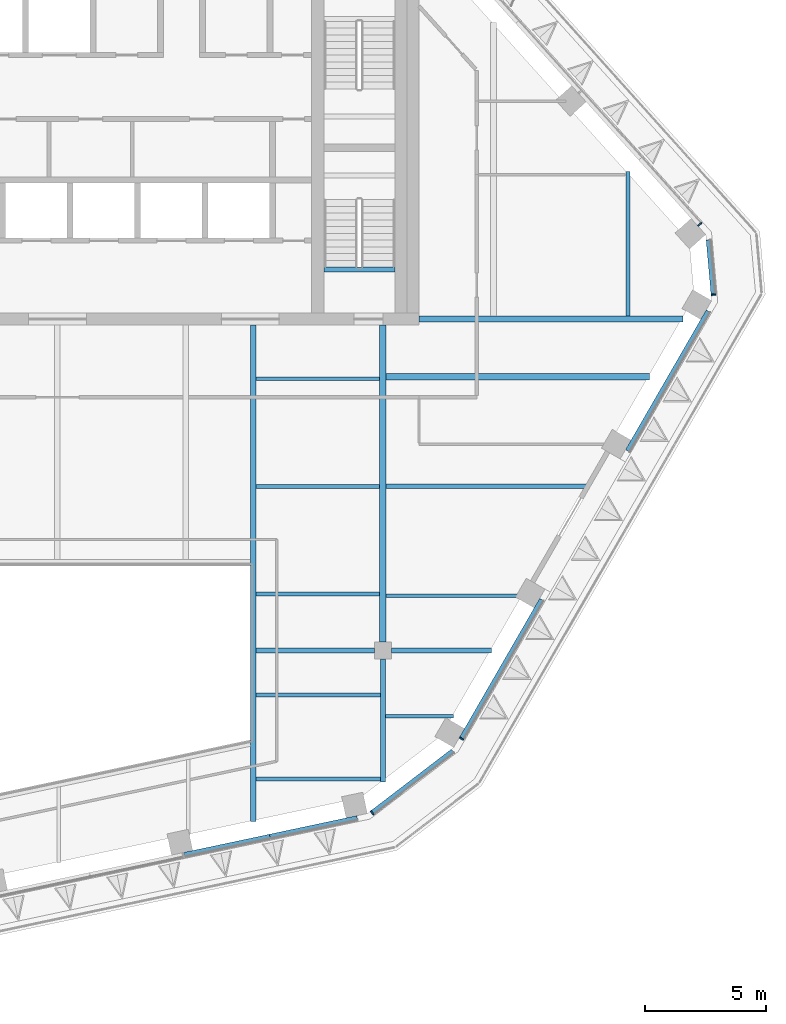
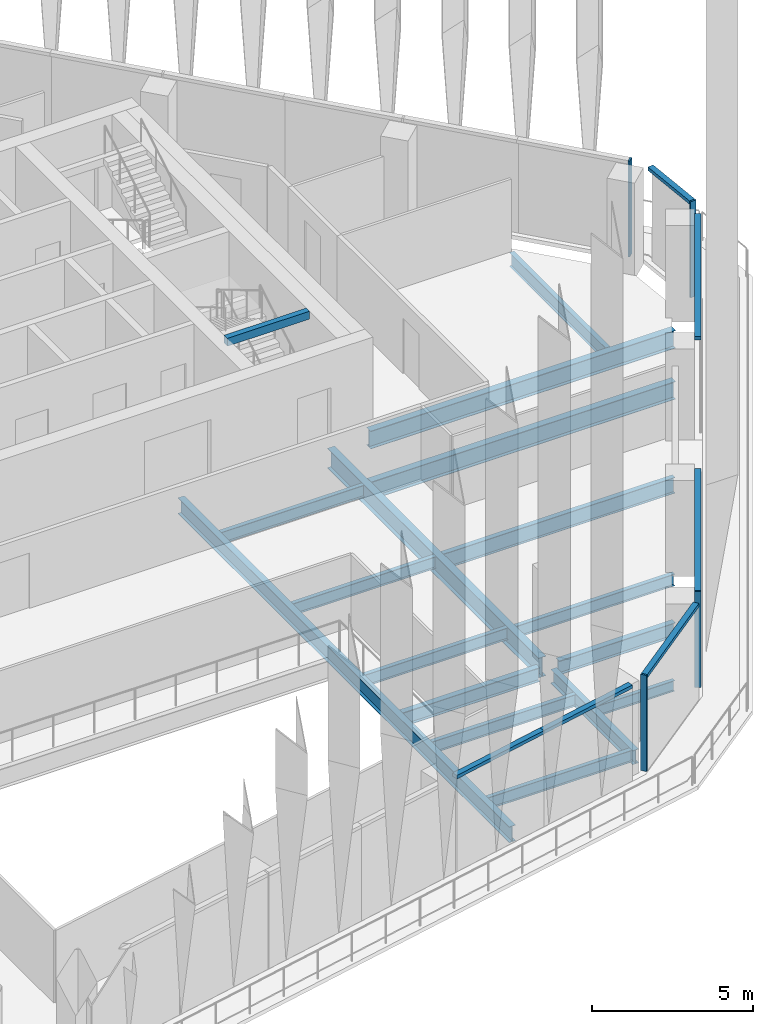
# One storey, part 4 of 21: 17 beams, 10 members, 5 elements without a shape of their own.
"""IFC4 building model written with IfcOpenShell, lengths in metres."""

from ifc_helpers import new_model, si_unit, direction, frame, origin, origin_2d, place, context, subcontext, project, spatial, rectangle, i_section, extrude, material, layer, layer_set, material_profile, profile_set, type_object, element, aggregate, save


model = new_model("IFC4")

# Units and contexts
model_context = context("Model", 3, precision=1e-05, world=origin(), true_north=direction((0.0, 1.0)))
body_context = subcontext(model_context, "Body", "Model", "MODEL_VIEW")
ifc_project = project(units=[si_unit("LENGTHUNIT", "METRE"), si_unit("AREAUNIT", "SQUARE_METRE"), si_unit("VOLUMEUNIT", "CUBIC_METRE"), si_unit("PLANEANGLEUNIT", "RADIAN"), si_unit("MASSUNIT", "GRAM", prefix="KILO")], contexts=[model_context])

# Site, building, storey
site_placement = place(None, origin())
site = spatial("IfcSite", under=ifc_project, at=site_placement, CompositionType="ELEMENT")
building_placement = place(site_placement, origin())
building = spatial("IfcBuilding", under=site, at=building_placement, Name="Isthmus Gate Tower", CompositionType="ELEMENT")
storey_placement = place(building_placement, frame((0.0, 0.0, 260.949951171875)))
storey = spatial("IfcBuildingStorey", under=building, at=storey_placement, Name="L66", CompositionType="ELEMENT", Elevation=260.949951171875)

# Curtain wall, member
ifc_material_1 = material(Name="Aluminium, pale champagne anodised", Category="aluminium")
ifc_layer = layer(ifc_material_1, 0.199951171875)
ifc_layer_set = layer_set([ifc_layer], Name="CW-1 UNITISED CURTAIN WALL 200 DEEP")
curtain_wall_type = type_object("IfcCurtainWallType", Name="CW-1 UNITISED CURTAIN WALL 200 DEEP", PredefinedType="NOTDEFINED", material=ifc_layer_set)
curtain_wall_1_placement = place(storey_placement, origin())
curtain_wall_1 = element("IfcCurtainWall", 1, at=curtain_wall_1_placement, inside=storey, type_object=curtain_wall_type, Name="CW-1 S-SE L66", PredefinedType="NOTDEFINED")
ifc_material_2 = material(Name="Aluminium, pale champagne anodised", Category="aluminium")
ifc_material_profile_1 = material_profile(ifc_material_2, rectangle(XDim=0.06005859375, YDim=0.199951171875, at=origin_2d()), Name="60x200")
ifc_profile_set_1 = profile_set([ifc_material_profile_1], Name="Aluminium, pale champagne anodised")
member_type_1 = type_object("IfcMemberType", Name="CW-1 MULLION 60 X 200", PredefinedType="MULLION", material=ifc_profile_set_1)
member_1_placement = place(storey_placement, frame((13.055908203125, -20.241455078125, 0.0), z_axis=(0.0, 0.0, 1.0), x_axis=(0.794188594387, 0.607671355706, 0.0)))
member_1 = element("IfcMember", 2, at=member_1_placement, type_object=member_type_1, Name="CW-1 mullion", PredefinedType="MULLION", context=body_context, shape_type="SweptSolid", body=[
    extrude(rectangle(XDim=0.06005859375, YDim=0.199951171875, at=origin_2d()), origin(), (0.0, 0.0, 1.0), 3.650146484375),
])

curtain_wall_2_placement = place(storey_placement, origin())
curtain_wall_2 = element("IfcCurtainWall", 3, at=curtain_wall_2_placement, inside=storey, type_object=curtain_wall_type, Name="CW-1 SE L66", PredefinedType="NOTDEFINED")
member_2_placement = place(storey_placement, frame((16.765380859375, -17.161376953125, 0.0), z_axis=(0.0, 0.0, 1.0), x_axis=(0.5, 0.866025403784, 0.0)))
member_2 = element("IfcMember", 4, at=member_2_placement, type_object=member_type_1, Name="CW-1 mullion", PredefinedType="MULLION", context=body_context, shape_type="SweptSolid", body=[
    extrude(rectangle(XDim=0.06005859375, YDim=0.199951171875, at=origin_2d()), origin(), (0.0, 0.0, 1.0), 3.650146484375),
])

curtain_wall_3_placement = place(storey_placement, origin())
curtain_wall_3 = element("IfcCurtainWall", 5, at=curtain_wall_3_placement, inside=storey, type_object=curtain_wall_type, Name="CW-1 SE-NE L66", PredefinedType="NOTDEFINED")
member_3_placement = place(storey_placement, frame((27.21875, 1.258056640625, 0.0), z_axis=(0.0, 0.0, 1.0), x_axis=(-0.089396669717, 0.995996102123, 0.0)))
member_3 = element("IfcMember", 6, at=member_3_placement, type_object=member_type_1, Name="CW-1 mullion", PredefinedType="MULLION", context=body_context, shape_type="SweptSolid", body=[
    extrude(rectangle(XDim=0.06005859375, YDim=0.199951171875, at=origin_2d()), origin(), (0.0, 0.0, 1.0), 3.650146484375),
])

curtain_wall_4_placement = place(storey_placement, origin())
curtain_wall_4 = element("IfcCurtainWall", 7, at=curtain_wall_4_placement, inside=storey, type_object=curtain_wall_type, Name="CW-1 NE L66", PredefinedType="NOTDEFINED")
member_4_placement = place(storey_placement, frame((26.6474609375, 4.17626953125, 0.0), z_axis=(0.0, 0.0, 1.0), x_axis=(-0.669130606359, 0.743144825477, 0.0)))
member_4 = element("IfcMember", 8, at=member_4_placement, type_object=member_type_1, Name="CW-1 mullion", PredefinedType="MULLION", context=body_context, shape_type="SweptSolid", body=[
    extrude(rectangle(XDim=0.06005859375, YDim=0.199951171875, at=origin_2d()), origin(), (0.0, 0.0, 1.0), 3.650146484375),
])
aggregate(curtain_wall_4, [member_4])

# Curtain wall, members
curtain_wall_5_placement = place(storey_placement, origin())
curtain_wall_5 = element("IfcCurtainWall", 9, at=curtain_wall_5_placement, inside=storey, type_object=curtain_wall_type, Name="CW-1 S L66", PredefinedType="NOTDEFINED")
ifc_material_3 = material(Name="Aluminium, pale champagne anodised", Category="aluminium")
ifc_material_profile_2 = material_profile(ifc_material_3, rectangle(XDim=0.199951171875, YDim=0.1298828125, at=origin_2d()), Name="200x130")
ifc_profile_set_2 = profile_set([ifc_material_profile_2], Name="Aluminium, pale champagne anodised")
member_type_2 = type_object("IfcMemberType", Name="CW-1 TRANSOM 200 X 130", PredefinedType="USERDEFINED", material=ifc_profile_set_2)
member_5_placement = place(storey_placement, frame((5.25244140625, -21.98583984375, 3.5849609375), z_axis=(0.978143350472, 0.207931685724, 0.0), x_axis=(-0.207931685724, 0.978143350472, 0.0)))
member_5 = element("IfcMember", 10, at=member_5_placement, type_object=member_type_2, Name="CW-1 transom", ObjectType="TRANSOM", PredefinedType="USERDEFINED", context=body_context, shape_type="SweptSolid", body=[
    extrude(rectangle(XDim=0.199951171875, YDim=0.1298828125, at=origin_2d()), origin(), (0.0, 0.0, 1.0), 3.643310546875),
])
member_6_placement = place(storey_placement, frame((8.816162109375, -21.228271484375, 3.5849609375), z_axis=(0.978146451283, 0.207917098487, 0.0), x_axis=(-0.207917098487, 0.978146451283, 0.0)))
member_6 = element("IfcMember", 11, at=member_6_placement, type_object=member_type_2, Name="CW-1 transom", ObjectType="TRANSOM", PredefinedType="USERDEFINED", context=body_context, shape_type="SweptSolid", body=[
    extrude(rectangle(XDim=0.199951171875, YDim=0.1298828125, at=origin_2d()), origin(), (0.0, 0.0, 1.0), 3.70361328125),
])
aggregate(curtain_wall_5, [member_5, member_6])

# Member
member_7_placement = place(storey_placement, frame((13.07958984375, -20.22314453125, 3.5849609375), z_axis=(0.794225234414, 0.607623466482, 0.0), x_axis=(-0.607623466482, 0.794225234414, 0.0)))
member_7 = element("IfcMember", 12, at=member_7_placement, type_object=member_type_2, Name="CW-1 transom", ObjectType="TRANSOM", PredefinedType="USERDEFINED", context=body_context, shape_type="SweptSolid", body=[
    extrude(rectangle(XDim=0.199951171875, YDim=0.1298828125, at=origin_2d()), origin(), (0.0, 0.0, 1.0), 4.181396484375),
])

aggregate(curtain_wall_1, [member_1, member_7])

member_8_placement = place(storey_placement, frame((16.780517578125, -17.135498046875, 3.5849609375), z_axis=(0.49999574405, 0.866027860944, 0.0), x_axis=(-0.866027860944, 0.49999574405, 0.0)))
member_8 = element("IfcMember", 13, at=member_8_placement, type_object=member_type_2, Name="CW-1 transom", ObjectType="TRANSOM", PredefinedType="USERDEFINED", context=body_context, shape_type="SweptSolid", body=[
    extrude(rectangle(XDim=0.199951171875, YDim=0.1298828125, at=origin_2d()), origin(), (0.0, 0.0, 1.0), 6.62451171875),
])

member_9_placement = place(storey_placement, frame((23.659912109375, -5.2197265625, 3.5849609375), z_axis=(0.499996450449, 0.866027453109, 0.0), x_axis=(-0.866027453109, 0.499996450449, 0.0)))
member_9 = element("IfcMember", 14, at=member_9_placement, type_object=member_type_2, Name="CW-1 transom", ObjectType="TRANSOM", PredefinedType="USERDEFINED", context=body_context, shape_type="SweptSolid", body=[
    extrude(rectangle(XDim=0.199951171875, YDim=0.1298828125, at=origin_2d()), origin(), (0.0, 0.0, 1.0), 6.6845703125),
])

aggregate(curtain_wall_2, [member_2, member_8, member_9])

member_10_placement = place(storey_placement, frame((27.216064453125, 1.287841796875, 3.5849609375), z_axis=(-0.089395362867, 0.995996219419, 0.0), x_axis=(-0.995996219419, -0.089395362867, 0.0)))
member_10 = element("IfcMember", 15, at=member_10_placement, type_object=member_type_2, Name="CW-1 transom", ObjectType="TRANSOM", PredefinedType="USERDEFINED", context=body_context, shape_type="SweptSolid", body=[
    extrude(rectangle(XDim=0.199951171875, YDim=0.1298828125, at=origin_2d()), origin(), (0.0, 0.0, 1.0), 2.258544921875),
])

aggregate(curtain_wall_3, [member_3, member_10])

# Beams
ifc_material_4 = material(Name="Concrete f'c 40 MPa", Category="concrete")
ifc_material_profile_3 = material_profile(ifc_material_4, rectangle(XDim=0.199951171875, YDim=0.300048828125, at=origin_2d()), Name="STAIR LANDING BEAM RC 200 X 300")
ifc_profile_set_3 = profile_set([ifc_material_profile_3], Name="Concrete f'c 40 MPa")
beam_type_1 = type_object("IfcBeamType", Name="STAIR LANDING BEAM RC 200 X 300", PredefinedType="BEAM", material=ifc_profile_set_3)
beam_1_placement = place(storey_placement, frame((11.050048828125, 2.2998046875, 3.35009765625), z_axis=(1.0, 0.0, 0.0), x_axis=(0.0, 1.0, 0.0)))
element("IfcBeam", 16, at=beam_1_placement, inside=storey, type_object=beam_type_1, Name="L66 ST8 floor-edge seat beam", PredefinedType="BEAM", context=body_context, shape_type="SweptSolid", body=[
    extrude(rectangle(XDim=0.199951171875, YDim=0.300048828125, at=origin_2d()), origin(), (0.0, 0.0, 1.0), 2.949951171875),
])
ifc_material_5 = material(Name="Structural steel ASTM A992 Gr 50", Category="steel")
ifc_material_profile_4 = material_profile(ifc_material_5, i_section(OverallWidth=0.1396484375, OverallDepth=0.4033203125, WebThickness=0.00634765625, FlangeThickness=0.010986328125, at=origin_2d()), Name="W16X31")
ifc_profile_set_4 = profile_set([ifc_material_profile_4], Name="Structural steel ASTM A992 Gr 50")
beam_type_2 = type_object("IfcBeamType", Name="STEEL FLOOR BEAM W16X31", PredefinedType="JOIST", material=ifc_profile_set_4)
beam_2_placement = place(storey_placement, frame((13.604736328125, -16.239990234375, -0.3515625), z_axis=(1.0, 0.0, 0.0), x_axis=(0.0, 1.0, 0.0)))
element("IfcBeam", 17, at=beam_2_placement, inside=storey, type_object=beam_type_2, Name="str-beam-L66-11-00", PredefinedType="JOIST", context=body_context, shape_type="SweptSolid", body=[
    extrude(i_section(OverallWidth=0.1396484375, OverallDepth=0.4033203125, WebThickness=0.00634765625, FlangeThickness=0.010986328125, at=origin_2d()), origin(), (0.0, 0.0, 1.0), 2.824951171875),
])
ifc_material_6 = material(Name="Structural steel ASTM A992 Gr 50", Category="steel")
ifc_material_profile_5 = material_profile(ifc_material_6, i_section(OverallWidth=0.15234375, OverallDepth=0.45068359375, WebThickness=0.0078125, FlangeThickness=0.010986328125, at=origin_2d()), Name="W18X35")
ifc_profile_set_5 = profile_set([ifc_material_profile_5], Name="Structural steel ASTM A992 Gr 50")
beam_type_3 = type_object("IfcBeamType", Name="STEEL FLOOR BEAM W18X35", PredefinedType="JOIST", material=ifc_profile_set_5)
for number, where, z_axis, x_axis, name in (
    (18, (8.228515625, -18.83984375, -0.375244140625), (1.0, 0.0, 0.0), (0.0, 1.0, 0.0), "str-beam-L66-09-00"),
    (19, (8.228515625, -15.349853515625, -0.375244140625), (1.0, 0.0, 0.0), (0.0, 1.0, 0.0), "str-beam-L66-09-01"),
):
    element("IfcBeam", number, at=place(storey_placement, frame(where, z_axis=z_axis, x_axis=x_axis)), inside=storey, type_object=beam_type_3, Name=name, PredefinedType="JOIST", context=body_context, shape_type="SweptSolid", body=[
        extrude(i_section(OverallWidth=0.15234375, OverallDepth=0.45068359375, WebThickness=0.0078125, FlangeThickness=0.010986328125, at=origin_2d()), origin(), (0.0, 0.0, 1.0), 5.166748046875),
    ])
for number, where, z_axis, x_axis, name in (
    (20, (8.228515625, -11.16259765625, -0.375244140625), (1.0, 0.0, 0.0), (0.0, 1.0, 0.0), "str-beam-L66-10-00"),
    (21, (8.228515625, -6.697509765625, -0.375244140625), (1.0, 0.0, 0.0), (0.0, 1.0, 0.0), "str-beam-L66-10-01"),
    (22, (8.228515625, -2.232421875, -0.375244140625), (1.0, 0.0, 0.0), (0.0, 1.0, 0.0), "str-beam-L66-10-02"),
):
    element("IfcBeam", number, at=place(storey_placement, frame(where, z_axis=z_axis, x_axis=x_axis)), inside=storey, type_object=beam_type_3, Name=name, PredefinedType="JOIST", context=body_context, shape_type="SweptSolid", body=[
        extrude(i_section(OverallWidth=0.15234375, OverallDepth=0.45068359375, WebThickness=0.0078125, FlangeThickness=0.010986328125, at=origin_2d()), origin(), (0.0, 0.0, 1.0), 5.1396484375),
    ])
beam_3_placement = place(storey_placement, frame((13.6318359375, -11.2294921875, -0.375244140625), z_axis=(1.0, 0.0, 0.0), x_axis=(0.0, 1.0, 0.0)))
element("IfcBeam", 23, at=beam_3_placement, inside=storey, type_object=beam_type_3, Name="str-beam-L66-12-00", PredefinedType="JOIST", context=body_context, shape_type="SweptSolid", body=[
    extrude(i_section(OverallWidth=0.15234375, OverallDepth=0.45068359375, WebThickness=0.0078125, FlangeThickness=0.010986328125, at=origin_2d()), origin(), (0.0, 0.0, 1.0), 5.6904296875),
])
ifc_material_7 = material(Name="Structural steel ASTM A992 Gr 50", Category="steel")
ifc_material_profile_6 = material_profile(ifc_material_7, i_section(OverallWidth=0.1650390625, OverallDepth=0.52392578125, WebThickness=0.009521484375, FlangeThickness=0.010986328125, at=origin_2d()), Name="W21X44")
ifc_profile_set_6 = profile_set([ifc_material_profile_6], Name="Structural steel ASTM A992 Gr 50")
beam_type_4 = type_object("IfcBeamType", Name="STEEL FLOOR BEAM W21X44", PredefinedType="JOIST", material=ifc_profile_set_6)
beam_4_placement = place(storey_placement, frame((23.66357421875, 0.376953125, -0.411865234375), z_axis=(0.0, 1.0, 0.0), x_axis=(-1.0, 0.0, 0.0)))
element("IfcBeam", 24, at=beam_4_placement, inside=storey, type_object=beam_type_4, Name="str-beam-L66-07-07", PredefinedType="JOIST", context=body_context, shape_type="SweptSolid", body=[
    extrude(i_section(OverallWidth=0.1650390625, OverallDepth=0.52392578125, WebThickness=0.009521484375, FlangeThickness=0.010986328125, at=origin_2d()), origin(), (0.0, 0.0, 1.0), 5.989990234375),
])
ifc_material_8 = material(Name="Structural steel ASTM A992 Gr 50", Category="steel")
ifc_material_profile_7 = material_profile(ifc_material_8, i_section(OverallWidth=0.177734375, OverallDepth=0.60009765625, WebThickness=0.009521484375, FlangeThickness=0.0126953125, at=origin_2d()), Name="W24X55")
ifc_profile_set_7 = profile_set([ifc_material_profile_7], Name="Structural steel ASTM A992 Gr 50")
beam_type_5 = type_object("IfcBeamType", Name="STEEL FLOOR BEAM W24X55", PredefinedType="JOIST", material=ifc_profile_set_7)
beam_5_placement = place(storey_placement, frame((13.6318359375, -6.6884765625, -0.449951171875), z_axis=(1.0, 0.0, 0.0), x_axis=(0.0, 1.0, 0.0)))
element("IfcBeam", 25, at=beam_5_placement, inside=storey, type_object=beam_type_5, Name="str-beam-L66-12-01", PredefinedType="JOIST", context=body_context, shape_type="SweptSolid", body=[
    extrude(i_section(OverallWidth=0.177734375, OverallDepth=0.60009765625, WebThickness=0.009521484375, FlangeThickness=0.0126953125, at=origin_2d()), origin(), (0.0, 0.0, 1.0), 8.312255859375),
])
ifc_material_9 = material(Name="Structural steel ASTM A992 Gr 50", Category="steel")
ifc_material_profile_8 = material_profile(ifc_material_9, i_section(OverallWidth=0.25390625, OverallDepth=0.679443359375, WebThickness=0.010986328125, FlangeThickness=0.015869140625, at=origin_2d()), Name="W27X84")
ifc_profile_set_8 = profile_set([ifc_material_profile_8], Name="Structural steel ASTM A992 Gr 50")
beam_type_6 = type_object("IfcBeamType", Name="STEEL FLOOR BEAM W27X84", PredefinedType="JOIST", material=ifc_profile_set_8)
beam_6_placement = place(storey_placement, frame((13.6318359375, -2.1474609375, -0.48974609375), z_axis=(1.0, 0.0, 0.0), x_axis=(0.0, 1.0, 0.0)))
element("IfcBeam", 26, at=beam_6_placement, inside=storey, type_object=beam_type_6, Name="str-beam-L66-12-02", PredefinedType="JOIST", context=body_context, shape_type="SweptSolid", body=[
    extrude(i_section(OverallWidth=0.25390625, OverallDepth=0.679443359375, WebThickness=0.010986328125, FlangeThickness=0.015869140625, at=origin_2d()), origin(), (0.0, 0.0, 1.0), 10.93408203125),
])
ifc_material_10 = material(Name="Structural steel ASTM A992 Gr 50", Category="steel")
ifc_material_profile_9 = material_profile(ifc_material_10, i_section(OverallWidth=0.20947265625, OverallDepth=0.533447265625, WebThickness=0.009521484375, FlangeThickness=0.015869140625, at=origin_2d()), Name="W21X62")
ifc_profile_set_9 = profile_set([ifc_material_profile_9], Name="Structural steel ASTM A992 Gr 50")
beam_type_7 = type_object("IfcBeamType", Name="STEEL GIRDER W21X62", PredefinedType="BEAM", material=ifc_profile_set_9)
beam_7_placement = place(storey_placement, frame((8.228515625, -13.5, -0.416748046875), z_axis=(1.0, 0.0, 0.0), x_axis=(0.0, 1.0, 0.0)))
element("IfcBeam", 27, at=beam_7_placement, inside=storey, type_object=beam_type_7, Name="str-girder-L66-03", PredefinedType="BEAM", context=body_context, shape_type="SweptSolid", body=[
    extrude(i_section(OverallWidth=0.20947265625, OverallDepth=0.533447265625, WebThickness=0.009521484375, FlangeThickness=0.015869140625, at=origin_2d()), origin(), (0.0, 0.0, 1.0), 4.92138671875),
])
beam_8_placement = place(storey_placement, frame((13.85009765625, -13.5, -0.416748046875), z_axis=(1.0, 0.0, 0.0), x_axis=(0.0, 1.0, 0.0)))
element("IfcBeam", 28, at=beam_8_placement, inside=storey, type_object=beam_type_7, Name="str-girder-L66-04", PredefinedType="BEAM", context=body_context, shape_type="SweptSolid", body=[
    extrude(i_section(OverallWidth=0.20947265625, OverallDepth=0.533447265625, WebThickness=0.009521484375, FlangeThickness=0.015869140625, at=origin_2d()), origin(), (0.0, 0.0, 1.0), 4.161376953125),
])
beam_9_placement = place(storey_placement, frame((13.5, -18.955322265625, -0.416748046875), z_axis=(0.0, 1.0, 0.0), x_axis=(-1.0, 0.0, 0.0)))
element("IfcBeam", 29, at=beam_9_placement, inside=storey, type_object=beam_type_7, Name="str-girder-L66-07", PredefinedType="BEAM", context=body_context, shape_type="SweptSolid", body=[
    extrude(i_section(OverallWidth=0.20947265625, OverallDepth=0.533447265625, WebThickness=0.009521484375, FlangeThickness=0.015869140625, at=origin_2d()), origin(), (0.0, 0.0, 1.0), 5.105224609375),
])
ifc_material_11 = material(Name="Structural steel ASTM A992 Gr 50", Category="steel")
ifc_material_profile_10 = material_profile(ifc_material_11, i_section(OverallWidth=0.25390625, OverallDepth=0.679443359375, WebThickness=0.010986328125, FlangeThickness=0.015869140625, at=origin_2d()), Name="W27X84")
ifc_profile_set_10 = profile_set([ifc_material_profile_10], Name="Structural steel ASTM A992 Gr 50")
beam_type_8 = type_object("IfcBeamType", Name="STEEL GIRDER W27X84", PredefinedType="BEAM", material=ifc_profile_set_10)
beam_10_placement = place(storey_placement, frame((15.0, 0.25, -0.48974609375), z_axis=(1.0, 0.0, 0.0), x_axis=(0.0, 1.0, 0.0)))
element("IfcBeam", 30, at=beam_10_placement, inside=storey, type_object=beam_type_8, Name="str-girder-L66-10", PredefinedType="BEAM", context=body_context, shape_type="SweptSolid", body=[
    extrude(i_section(OverallWidth=0.25390625, OverallDepth=0.679443359375, WebThickness=0.010986328125, FlangeThickness=0.015869140625, at=origin_2d()), origin(), (0.0, 0.0, 1.0), 10.949951171875),
])
ifc_material_12 = material(Name="Structural steel ASTM A992 Gr 50", Category="steel")
ifc_material_profile_11 = material_profile(ifc_material_12, i_section(OverallWidth=0.263427734375, OverallDepth=0.749267578125, WebThickness=0.0126953125, FlangeThickness=0.015869140625, at=origin_2d()), Name="W30X90")
ifc_profile_set_11 = profile_set([ifc_material_profile_11], Name="Structural steel ASTM A992 Gr 50")
beam_type_9 = type_object("IfcBeamType", Name="STEEL GIRDER W30X90", PredefinedType="BEAM", material=ifc_profile_set_11)
beam_11_placement = place(storey_placement, frame((13.5, -13.14990234375, -0.524658203125), z_axis=(0.0, 1.0, 0.0), x_axis=(-1.0, 0.0, 0.0)))
element("IfcBeam", 31, at=beam_11_placement, inside=storey, type_object=beam_type_9, Name="str-girder-L66-08", PredefinedType="BEAM", context=body_context, shape_type="SweptSolid", body=[
    extrude(i_section(OverallWidth=0.263427734375, OverallDepth=0.749267578125, WebThickness=0.0126953125, FlangeThickness=0.015869140625, at=origin_2d()), origin(), (0.0, 0.0, 1.0), 13.14990234375),
])
ifc_material_13 = material(Name="Structural steel ASTM A992 Gr 50", Category="steel")
ifc_material_profile_12 = material_profile(ifc_material_13, i_section(OverallWidth=0.228515625, OverallDepth=0.603271484375, WebThickness=0.010986328125, FlangeThickness=0.014404296875, at=origin_2d()), Name="W24X68")
ifc_profile_set_12 = profile_set([ifc_material_profile_12], Name="Structural steel ASTM A992 Gr 50")
beam_type_10 = type_object("IfcBeamType", Name="STEEL TRIMMER W24X68", PredefinedType="BEAM", material=ifc_profile_set_12)
beam_12_placement = place(storey_placement, frame((8.1142578125, -20.609130859375, -0.45166015625), z_axis=(0.0, 1.0, 0.0), x_axis=(-1.0, 0.0, 0.0)))
element("IfcBeam", 32, at=beam_12_placement, inside=storey, type_object=beam_type_10, Name="str-trimmer-L66-01", PredefinedType="BEAM", context=body_context, shape_type="SweptSolid", body=[
    extrude(i_section(OverallWidth=0.228515625, OverallDepth=0.603271484375, WebThickness=0.010986328125, FlangeThickness=0.014404296875, at=origin_2d()), origin(), (0.0, 0.0, 1.0), 20.609130859375),
])

save(model, "model.ifc")
